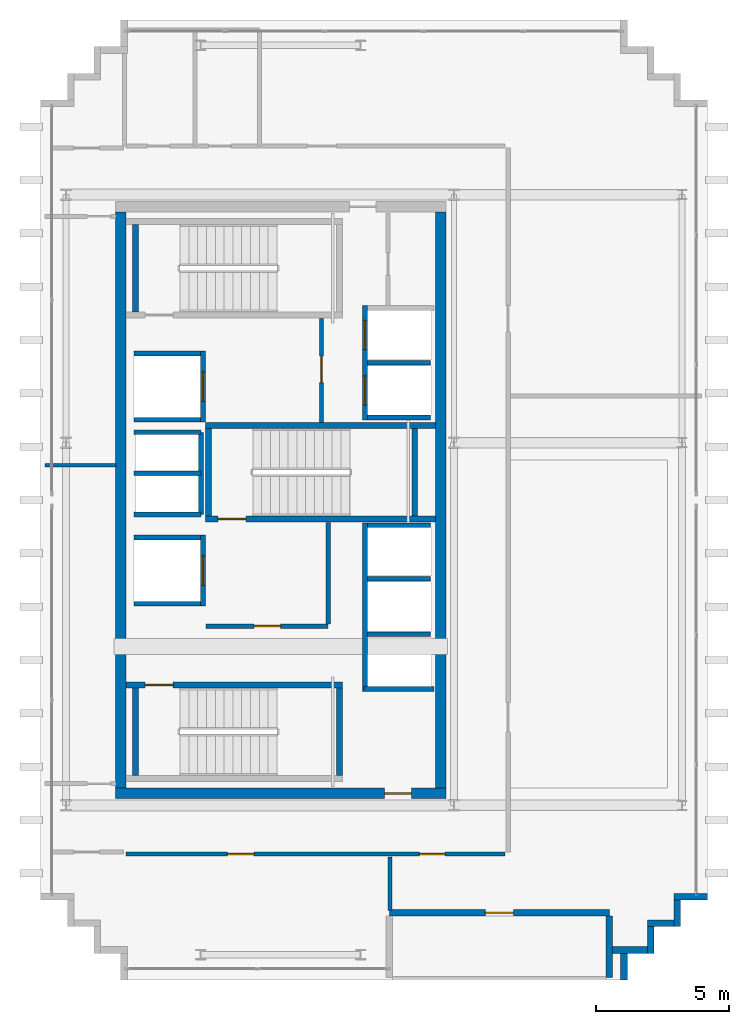
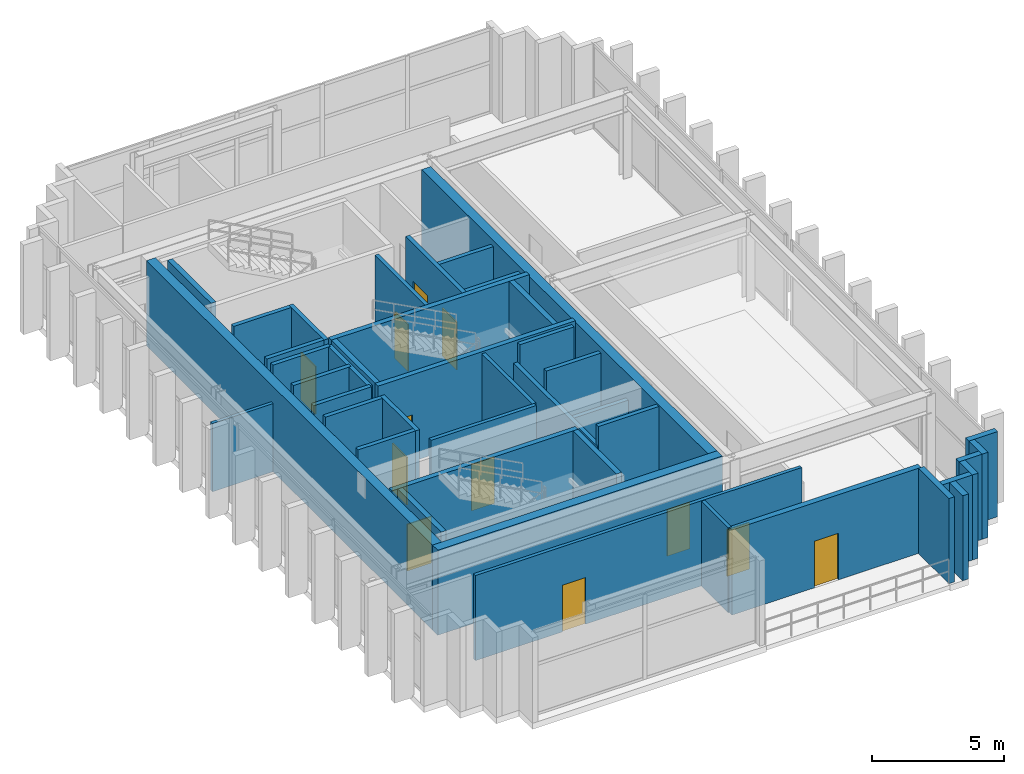
# One storey, part 11 of 14: 43 walls, 12 doors, 12 openings.
"""IFC4 building model written with IfcOpenShell, lengths in metres."""

import ifcopenshell
import ifcopenshell.guid

model = None  # the IFC model being written
_history = None  # IfcOwnerHistory: only IFC2X3 demands one
_inside = {}  # id of a spatial element -> (the spatial element, [elements in it])
_under = {}  # id of a project, library or spatial element -> (it, [spatial elements below it])
_declared = {}  # id of a project -> (the project, [libraries it declares])
_typed = {}  # id of a type object -> (the type object, [elements of that type])
_made_of = {}  # id of a material, layer set ... -> (it, [elements and type objects made of it])


def new_model(schema):
    """Start an empty IFC model of exactly this schema.

    Asked for "IFC4X3", IfcOpenShell would pick the latest addendum, in which some entities
    have other attributes; the version numbers below select the first issue.
    IFC2X3 requires an IfcOwnerHistory on every rooted entity: one is made here for all.
    """
    global model, _history
    if schema == "IFC4X3":
        model = ifcopenshell.file(schema_version=(4, 3, 0, 0))
    else:
        model = ifcopenshell.file(schema=schema)
    _inside.clear()
    _under.clear()
    _declared.clear()
    _typed.clear()
    _made_of.clear()
    _history = None
    if model.schema == "IFC2X3":
        org = make("IfcOrganization", Name="unknown")
        user = make(
            "IfcPersonAndOrganization",
            ThePerson=make("IfcPerson", FamilyName="unknown"),
            TheOrganization=org,
        )
        app = make(
            "IfcApplication",
            ApplicationDeveloper=org,
            Version="unknown",
            ApplicationFullName="unknown",
            ApplicationIdentifier="unknown",
        )
        _history = make(
            "IfcOwnerHistory",
            OwningUser=user,
            OwningApplication=app,
            ChangeAction="ADDED",
            CreationDate=0,
        )
    return model


def make(cls, **values):
    """One entity of the class cls with the attributes given. An attribute that is None is left unset."""
    return model.create_entity(
        cls, **{name: value for name, value in values.items() if value is not None}
    )


def rooted(cls, **values):
    """An entity with a GlobalId (a new one), such as an element, a storey or a relation."""
    return make(cls, GlobalId=ifcopenshell.guid.new(), OwnerHistory=_history, **values)


def si_unit(unit_type, name, prefix=None):
    """IfcSIUnit, for example si_unit("LENGTHUNIT", "METRE", prefix="MILLI")."""
    return make("IfcSIUnit", UnitType=unit_type, Prefix=prefix, Name=name)


def assignment(units):
    """IfcUnitAssignment: the units of a project."""
    return None if units is None else make("IfcUnitAssignment", Units=units)


def point(xyz):
    """IfcCartesianPoint."""
    return None if xyz is None else make("IfcCartesianPoint", Coordinates=xyz)


def direction(xyz):
    """IfcDirection."""
    return None if xyz is None else make("IfcDirection", DirectionRatios=xyz)


def frame(location, z_axis=None, x_axis=None):
    """IfcAxis2Placement3D, a coordinate frame: its origin and axes. An axis left out is left unset."""
    return make(
        "IfcAxis2Placement3D",
        Location=point(location),
        Axis=direction(z_axis),
        RefDirection=direction(x_axis),
    )


def frame_2d(location, x_axis=None):
    """IfcAxis2Placement2D, a coordinate frame in the plane: its origin and x axis."""
    return make(
        "IfcAxis2Placement2D", Location=point(location), RefDirection=direction(x_axis)
    )


def origin():
    """The frame at (0, 0, 0) with its axes left unset."""
    return frame((0.0, 0.0, 0.0))


def place(relative_to, where):
    """IfcLocalPlacement: puts the frame where relative to a parent placement (None: the world)."""
    return make(
        "IfcLocalPlacement", PlacementRelTo=relative_to, RelativePlacement=where
    )


def context(
    kind, dimensions, precision=None, world=None, true_north=None, identifier=None
):
    """IfcGeometricRepresentationContext, for example the 3D "Model" context."""
    return make(
        "IfcGeometricRepresentationContext",
        ContextIdentifier=identifier,
        ContextType=kind,
        CoordinateSpaceDimension=dimensions,
        Precision=precision,
        WorldCoordinateSystem=world,
        TrueNorth=true_north,
    )


def subcontext(parent, identifier, kind, view, scale=None):
    """IfcGeometricRepresentationSubContext, for example "Body" below "Model"."""
    return make(
        "IfcGeometricRepresentationSubContext",
        ContextIdentifier=identifier,
        ContextType=kind,
        ParentContext=parent,
        TargetScale=scale,
        TargetView=view,
    )


def project(units=None, contexts=None):
    """IfcProject with its units and contexts."""
    return rooted(
        "IfcProject",
        Name="project",
        RepresentationContexts=contexts,
        UnitsInContext=assignment(units),
    )


def spatial(cls, under=None, at=None, **own):
    """A site, building, storey or space (cls), placed at a placement, below another one or the project."""
    s = rooted(cls, ObjectPlacement=at, **own)
    if under is not None:
        _under.setdefault(under.id(), (under, []))[1].append(s)
    return s


def profile(cls, at=None, kind="AREA", **sizes):
    """A parametric profile (cls). Its sizes go by their IFC names, for example OverallWidth=200.0."""
    return make(cls, ProfileType=kind, Position=at, **sizes)


def rectangle(**sizes):
    """IfcRectangleProfileDef."""
    return profile("IfcRectangleProfileDef", **sizes)


def extrude(swept, where, along, depth):
    """IfcExtrudedAreaSolid: the profile swept, set in the frame where, extruded along a direction by depth."""
    return make(
        "IfcExtrudedAreaSolid",
        SweptArea=swept,
        Position=where,
        ExtrudedDirection=direction(along),
        Depth=depth,
    )


def shape(context_of_items, identifier, shape_type, items):
    """IfcShapeRepresentation: the items that make up one representation, for example the "Body"."""
    return make(
        "IfcShapeRepresentation",
        ContextOfItems=context_of_items,
        RepresentationIdentifier=identifier,
        RepresentationType=shape_type,
        Items=items,
    )


def source(mapping_origin, context_of_items, identifier, shape_type, items):
    """IfcRepresentationMap: a shape defined once, which mapped items show again and again."""
    return make(
        "IfcRepresentationMap",
        MappingOrigin=mapping_origin,
        MappedRepresentation=shape(context_of_items, identifier, shape_type, items),
    )


def transform(
    local_origin,
    x_axis=None,
    y_axis=None,
    z_axis=None,
    scale=None,
    scale2=None,
    scale3=None,
    uniform=True,
):
    """IfcCartesianTransformationOperator3D, or its non-uniform kind. x_axis, y_axis, z_axis: its Axis1, 2, 3."""
    if uniform:
        return make(
            "IfcCartesianTransformationOperator3D",
            Axis1=direction(x_axis),
            Axis2=direction(y_axis),
            LocalOrigin=point(local_origin),
            Scale=scale,
            Axis3=direction(z_axis),
        )
    return make(
        "IfcCartesianTransformationOperator3DnonUniform",
        Axis1=direction(x_axis),
        Axis2=direction(y_axis),
        LocalOrigin=point(local_origin),
        Scale=scale,
        Axis3=direction(z_axis),
        Scale2=scale2,
        Scale3=scale3,
    )


def mapped(mapping_source, mapping_target):
    """IfcMappedItem: shows the shape of a source again, moved by a transform."""
    return make(
        "IfcMappedItem", MappingSource=mapping_source, MappingTarget=mapping_target
    )


def material(Name=None, Category=None):
    """IfcMaterial."""
    return make("IfcMaterial", Name=Name, Category=Category)


def layer(
    of_material, thickness, ventilated=None, Name=None, Category=None, Priority=None
):
    """IfcMaterialLayer: one layer of a wall or slab, of a material (None: an air gap)."""
    return make(
        "IfcMaterialLayer",
        Material=of_material,
        LayerThickness=thickness,
        IsVentilated=ventilated,
        Name=Name,
        Category=Category,
        Priority=Priority,
    )


def layer_set(layers, Name=None):
    """IfcMaterialLayerSet."""
    return make("IfcMaterialLayerSet", MaterialLayers=layers, LayerSetName=Name)


def made_of(thing, what):
    """Note that an element or type object is made of a material, layer set ...; save() writes the relation."""
    if what is not None:
        _made_of.setdefault(what.id(), (what, []))[1].append(thing)
    return thing


def type_object(cls, material=None, **own):
    """A type object (cls), such as IfcWallType, which elements share."""
    return made_of(rooted(cls, **own), material)


def element(
    cls,
    number,
    at=None,
    inside=None,
    cuts=None,
    type_object=None,
    material=None,
    context=None,
    identifier="Body",
    shape_type=None,
    held_by="IfcProductDefinitionShape",
    body=None,
    shapes=None,
    **own,
):
    """One element of the class cls, such as IfcWall. Its Tag is "e" and its number.

    at: its placement. inside: the storey or other place that contains it. cuts: it is an
    opening in that element (IfcRelVoidsElement). A single representation is given by context,
    identifier, shape_type and body (its items); several are given by shapes. held_by: the class
    of the entity that holds the representations. save() writes the other relations.
    """
    e = rooted(cls, Tag="e%d" % number, ObjectPlacement=at, **own)
    if body is not None:
        shapes = [shape(context, identifier, shape_type, body)]
    if shapes is not None:
        e.Representation = make(held_by, Representations=shapes)
    if inside is not None:
        _inside.setdefault(inside.id(), (inside, []))[1].append(e)
    if cuts is not None:
        rooted(
            "IfcRelVoidsElement", RelatingBuildingElement=cuts, RelatedOpeningElement=e
        )
    if type_object is not None:
        _typed.setdefault(type_object.id(), (type_object, []))[1].append(e)
    return made_of(e, material)


def fill(opening, filler):
    """IfcRelFillsElement: the door or window that sits in an opening."""
    return rooted(
        "IfcRelFillsElement",
        RelatingOpeningElement=opening,
        RelatedBuildingElement=filler,
    )


def aggregate(whole, parts):
    """IfcRelAggregates: a whole, such as a stair, and the parts it consists of."""
    return rooted("IfcRelAggregates", RelatingObject=whole, RelatedObjects=parts)


def save(model, path):
    """Write the relations noted so far, then the file.

    IfcRelAggregates (storeys below a building ...), IfcRelContainedInSpatialStructure (elements
    in a storey), IfcRelDefinesByType, IfcRelAssociatesMaterial and IfcRelDeclares: one each for
    every whole, place, type object, material and project.
    """
    for whole, parts in _under.values():
        aggregate(whole, parts)
    for where, things in _inside.values():
        rooted(
            "IfcRelContainedInSpatialStructure",
            RelatedElements=things,
            RelatingStructure=where,
        )
    for kind, things in _typed.values():
        rooted("IfcRelDefinesByType", RelatedObjects=things, RelatingType=kind)
    for what, things in _made_of.values():
        rooted("IfcRelAssociatesMaterial", RelatedObjects=things, RelatingMaterial=what)
    for by, libraries in _declared.values():
        rooted("IfcRelDeclares", RelatingContext=by, RelatedDefinitions=libraries)
    model.write(path)


model = new_model("IFC4")

# Units and contexts
model_context = context("Model", 3, precision=1e-05, world=origin(), true_north=direction((0.0, 1.0)))
body_context = subcontext(model_context, "Body", "Model", "MODEL_VIEW")
ifc_project = project(units=[si_unit("LENGTHUNIT", "METRE"), si_unit("AREAUNIT", "SQUARE_METRE"), si_unit("VOLUMEUNIT", "CUBIC_METRE"), si_unit("PLANEANGLEUNIT", "RADIAN"), si_unit("MASSUNIT", "GRAM", prefix="KILO")], contexts=[model_context])

# Site, building, storey
site_placement = place(None, origin())
site = spatial("IfcSite", under=ifc_project, at=site_placement, CompositionType="ELEMENT")
building_placement = place(site_placement, origin())
building = spatial("IfcBuilding", under=site, at=building_placement, Name="Ocotamira Hotel", CompositionType="ELEMENT")
storey_placement = place(building_placement, frame((0.0, 0.0, 301.199951171875)))
storey = spatial("IfcBuildingStorey", under=building, at=storey_placement, Name="L77", CompositionType="ELEMENT", Elevation=301.199951171875)

# Wall, opening, door
ifc_material_1 = material(Name="Concrete C50/60", Category="concrete")
ifc_layer_1 = layer(ifc_material_1, 0.39990234375)
ifc_layer_set_1 = layer_set([ifc_layer_1], Name="Concrete C50/60")
wall_type_1 = type_object("IfcWallType", Name="WL-CORE-400", PredefinedType="SHEAR", material=ifc_layer_set_1)
wall_1_placement = place(storey_placement, frame((10.800048828125, 15.0, 0.0), z_axis=(0.0, 0.0, 1.0), x_axis=(1.0, 0.0, 0.0)))
wall_1 = element("IfcWall", 1, at=wall_1_placement, inside=storey, type_object=wall_type_1, Name="L77 Shear Core Wall WCORE-S", PredefinedType="SHEAR", context=body_context, shape_type="SweptSolid", body=[
    extrude(rectangle(XDim=12.39990234375, YDim=0.39990234375, at=frame_2d((6.199951171875, 0.0))), origin(), (0.0, 0.0, 1.0), 3.920166015625),
])
opening_1_placement = place(wall_1_placement, frame((10.10009765625, 0.0, 0.0)))
opening_1 = element("IfcOpeningElement", 2, at=opening_1_placement, cuts=wall_1, Name="Opening D-FR2", PredefinedType="OPENING", context=body_context, shape_type="SweptSolid", body=[
    extrude(rectangle(XDim=1.0, YDim=2.14990234375, at=frame_2d((0.5, 1.074951171875))), frame((0.0, 0.2099609375, 0.0), z_axis=(0.0, -1.0, 0.0), x_axis=(1.0, 0.0, 0.0)), (0.0, 0.0, 1.0), 0.419921875),
])
ifc_material_2 = material(Name="Fire-rated acoustic timber-veneer door", Category="wood")
door_type_1 = type_object("IfcDoorType", Name="DR-FIRE-1000", OperationType="NOTDEFINED", PredefinedType="DOOR", material=ifc_material_2)
shared_shape_1 = source(origin(), body_context, "Body", "SweptSolid", [
    extrude(rectangle(XDim=1.0, YDim=2.14990234375, at=frame_2d((0.5, 1.074951171875))), frame((0.0, 0.02490234375, 0.0), z_axis=(0.0, -1.0, 0.0), x_axis=(1.0, 0.0, 0.0)), (0.0, 0.0, 1.0), 0.050048828125),
])
door_1_placement = place(opening_1_placement, origin())
door_1 = element("IfcDoor", 3, at=door_1_placement, inside=storey, type_object=door_type_1, Name="L77 Door ID-L77-WLOB-S-D [ID-L77-WLOB-S-D]", OperationType="SINGLE_SWING_LEFT", OverallHeight=2.14990234375, OverallWidth=1.0, PredefinedType="DOOR", context=body_context, shape_type="MappedRepresentation", body=[
    mapped(shared_shape_1, transform((0.0, 0.0, 0.0), scale=1.0)),
])
fill(opening_1, door_1)

# Walls
for number, where, z_axis, x_axis, name in (
    (4, (11.0, 15.199951171875, 0.0), (0.0, 0.0, 1.0), (0.0, 1.0, 0.0), "L77 Shear Core Wall WCORE-W"),
    (5, (23.0, 15.199951171875, 0.0), (0.0, 0.0, 1.0), (0.0, 1.0, 0.0), "L77 Shear Core Wall WCORE-E"),
):
    element("IfcWall", number, at=place(storey_placement, frame(where, z_axis=z_axis, x_axis=x_axis)), inside=storey, type_object=wall_type_1, Name=name, PredefinedType="SHEAR", context=body_context, shape_type="SweptSolid", body=[
        extrude(rectangle(XDim=21.60009765625, YDim=0.39990234375, at=frame_2d((10.800048828125, 0.0))), origin(), (0.0, 0.0, 1.0), 3.920166015625),
    ])
ifc_material_3 = material(Name="Precast concrete C45/55", Category="concrete")
ifc_layer_2 = layer(ifc_material_3, 0.25)
ifc_layer_set_2 = layer_set([ifc_layer_2], Name="Precast concrete C45/55")
wall_type_2 = type_object("IfcWallType", Name="WL-EXT-SER-250", PredefinedType="SOLIDWALL", material=ifc_layer_set_2)
wall_2_placement = place(storey_placement, frame((29.875, 8.0, 0.0), z_axis=(0.0, 0.0, 1.0), x_axis=(0.0, 1.0, 0.0)))
element("IfcWall", 6, at=wall_2_placement, inside=storey, type_object=wall_type_2, Name="L77 Serrated Corner Wall 01", PredefinedType="SOLIDWALL", context=body_context, shape_type="SweptSolid", body=[
    extrude(rectangle(XDim=1.0, YDim=0.25, at=frame_2d((0.5, 0.0))), origin(), (0.0, 0.0, 1.0), 3.920166015625),
])
wall_3_placement = place(storey_placement, frame((29.449951171875, 9.125, 0.0), z_axis=(0.0, 0.0, 1.0), x_axis=(1.0, 0.0, 0.0)))
element("IfcWall", 7, at=wall_3_placement, inside=storey, type_object=wall_type_2, Name="L77 Serrated Corner Wall 02", PredefinedType="SOLIDWALL", context=body_context, shape_type="SweptSolid", body=[
    extrude(rectangle(XDim=1.300048828125, YDim=0.25, at=frame_2d((0.64990234375, 0.0))), origin(), (0.0, 0.0, 1.0), 3.920166015625),
])
for number, where, z_axis, x_axis, name in (
    (8, (30.875, 9.0, 0.0), (0.0, 0.0, 1.0), (0.0, 1.0, 0.0), "L77 Serrated Corner Wall 03"),
    (9, (30.75, 10.125, 0.0), (0.0, 0.0, 1.0), (1.0, 0.0, 0.0), "L77 Serrated Corner Wall 04"),
    (10, (31.875, 10.0, 0.0), (0.0, 0.0, 1.0), (0.0, 1.0, 0.0), "L77 Serrated Corner Wall 05"),
):
    element("IfcWall", number, at=place(storey_placement, frame(where, z_axis=z_axis, x_axis=x_axis)), inside=storey, type_object=wall_type_2, Name=name, PredefinedType="SOLIDWALL", context=body_context, shape_type="SweptSolid", body=[
        extrude(rectangle(XDim=1.0, YDim=0.25, at=frame_2d((0.5, 0.0))), origin(), (0.0, 0.0, 1.0), 3.920166015625),
    ])
wall_4_placement = place(storey_placement, frame((31.75, 11.125, 0.0), z_axis=(0.0, 0.0, 1.0), x_axis=(1.0, 0.0, 0.0)))
element("IfcWall", 11, at=wall_4_placement, inside=storey, type_object=wall_type_2, Name="L77 Serrated Corner Wall 06", PredefinedType="SOLIDWALL", context=body_context, shape_type="SweptSolid", body=[
    extrude(rectangle(XDim=1.25, YDim=0.25, at=frame_2d((0.625, 0.0))), origin(), (0.0, 0.0, 1.0), 3.920166015625),
])

# Wall, opening, door
wall_5_placement = place(storey_placement, frame((21.074951171875, 10.52490234375, 0.0), z_axis=(0.0, 0.0, 1.0), x_axis=(1.0, 0.0, 0.0)))
wall_5 = element("IfcWall", 12, at=wall_5_placement, inside=storey, type_object=wall_type_2, Name="L77 Sky Terrace Back Wall 1", PredefinedType="SOLIDWALL", context=body_context, shape_type="SweptSolid", body=[
    extrude(rectangle(XDim=8.25, YDim=0.25, at=frame_2d((4.125, 0.0))), origin(), (0.0, 0.0, 1.0), 3.920166015625),
])
opening_2_placement = place(wall_5_placement, frame((3.60009765625, 0.0, 0.0)))
opening_2 = element("IfcOpeningElement", 13, at=opening_2_placement, cuts=wall_5, Name="Opening ED-3", PredefinedType="OPENING", context=body_context, shape_type="SweptSolid", body=[
    extrude(rectangle(XDim=1.050048828125, YDim=2.14990234375, at=frame_2d((0.52490234375, 1.074951171875))), frame((0.0, 0.135009765625, 0.0), z_axis=(0.0, -1.0, 0.0), x_axis=(1.0, 0.0, 0.0)), (0.0, 0.0, 1.0), 0.27001953125),
])
ifc_material_4 = material(Name="Thermally broken aluminium glazed door", Category="aluminium")
door_type_2 = type_object("IfcDoorType", Name="DR-TERR-1050", OperationType="NOTDEFINED", PredefinedType="DOOR", material=ifc_material_4)
shared_shape_2 = source(origin(), body_context, "Body", "SweptSolid", [
    extrude(rectangle(XDim=1.050048828125, YDim=2.14990234375, at=frame_2d((0.52490234375, 1.074951171875))), frame((0.0, 0.02490234375, 0.0), z_axis=(0.0, -1.0, 0.0), x_axis=(1.0, 0.0, 0.0)), (0.0, 0.0, 1.0), 0.050048828125),
])
door_2_placement = place(opening_2_placement, origin())
door_2 = element("IfcDoor", 14, at=door_2_placement, inside=storey, type_object=door_type_2, Name="L77 Sky Terrace Access Door 1 [ED-BAL-L77-1]", OperationType="SINGLE_SWING_LEFT", OverallHeight=2.14990234375, OverallWidth=1.050048828125, PredefinedType="DOOR", context=body_context, shape_type="MappedRepresentation", body=[
    mapped(shared_shape_2, transform((0.0, 0.0, 0.0), scale=1.0)),
])
fill(opening_2, door_2)

# Wall
wall_6_placement = place(storey_placement, frame((29.324951171875, 8.10009765625, 0.0), z_axis=(0.0, 0.0, 1.0), x_axis=(0.0, 1.0, 0.0)))
element("IfcWall", 15, at=wall_6_placement, inside=storey, type_object=wall_type_2, Name="L77 Sky Terrace Return Wall 1R", PredefinedType="SOLIDWALL", context=body_context, shape_type="SweptSolid", body=[
    extrude(rectangle(XDim=2.2998046875, YDim=0.25, at=frame_2d((1.14990234375, 0.0))), origin(), (0.0, 0.0, 1.0), 3.920166015625),
])

# Wall, opening, door
ifc_material_5 = material(Name="Acoustic double-layer fire gypsum board partition", Category="gypsum")
ifc_layer_3 = layer(ifc_material_5, 0.159912109375)
ifc_layer_set_3 = layer_set([ifc_layer_3], Name="Acoustic double-layer fire gypsum board partition")
wall_type_3 = type_object("IfcWallType", Name="WL-FIRE-160", PredefinedType="PARTITIONING", material=ifc_layer_set_3)
wall_7_placement = place(storey_placement, frame((14.199951171875, 21.27001953125, 0.0), z_axis=(0.0, 0.0, 1.0), x_axis=(1.0, 0.0, 0.0)))
wall_7 = element("IfcWall", 16, at=wall_7_placement, inside=storey, type_object=wall_type_3, Name="L77 Interior Wall PW-L77-FSAE1-S", PredefinedType="PARTITIONING", context=body_context, shape_type="SweptSolid", body=[
    extrude(rectangle(XDim=4.580078125, YDim=0.159912109375, at=frame_2d((2.2900390625, 0.0))), origin(), (0.0, 0.0, 1.0), 3.920166015625),
])
opening_3_placement = place(wall_7_placement, frame((1.800048828125, 0.0, 0.0)))
opening_3 = element("IfcOpeningElement", 17, at=opening_3_placement, cuts=wall_7, Name="Opening D-FR2", PredefinedType="OPENING", context=body_context, shape_type="SweptSolid", body=[
    extrude(rectangle(XDim=1.0, YDim=2.14990234375, at=frame_2d((0.5, 1.074951171875))), frame((0.0, 0.08984375, 0.0), z_axis=(0.0, -1.0, 0.0), x_axis=(1.0, 0.0, 0.0)), (0.0, 0.0, 1.0), 0.179931640625),
])
door_3_placement = place(opening_3_placement, origin())
door_3 = element("IfcDoor", 18, at=door_3_placement, inside=storey, type_object=door_type_1, Name="L77 Door ID-L77-FSAE1-D [ID-L77-FSAE1-D]", OperationType="SINGLE_SWING_LEFT", OverallHeight=2.14990234375, OverallWidth=1.0, PredefinedType="DOOR", context=body_context, shape_type="MappedRepresentation", body=[
    mapped(shared_shape_1, transform((0.0, 0.0, 0.0), scale=1.0)),
])
fill(opening_3, door_3)

# Wall
wall_8_placement = place(storey_placement, frame((18.780029296875, 21.35009765625, 0.0), z_axis=(0.0, 0.0, 1.0), x_axis=(0.0, 1.0, 0.0)))
element("IfcWall", 19, at=wall_8_placement, inside=storey, type_object=wall_type_3, Name="L77 Interior Wall PW-L77-FSAE1-E", PredefinedType="PARTITIONING", context=body_context, shape_type="SweptSolid", body=[
    extrude(rectangle(XDim=3.809814453125, YDim=0.159912109375, at=frame_2d((1.90478515625, 0.0))), origin(), (0.0, 0.0, 1.0), 3.920166015625),
])

# Wall, opening, door
wall_9_placement = place(storey_placement, frame((18.530029296875, 28.89990234375, 0.0), z_axis=(0.0, 0.0, 1.0), x_axis=(0.0, 1.0, 0.0)))
wall_9 = element("IfcWall", 20, at=wall_9_placement, inside=storey, type_object=wall_type_3, Name="L77 Interior Wall PW-L77-FSAE2-E", PredefinedType="PARTITIONING", context=body_context, shape_type="SweptSolid", body=[
    extrude(rectangle(XDim=3.900146484375, YDim=0.159912109375, at=frame_2d((1.9501953125, 0.0))), origin(), (0.0, 0.0, 1.0), 3.920166015625),
])
opening_4_placement = place(wall_9_placement, frame((1.5, 0.0, 0.0)))
opening_4 = element("IfcOpeningElement", 21, at=opening_4_placement, cuts=wall_9, Name="Opening D-FR2", PredefinedType="OPENING", context=body_context, shape_type="SweptSolid", body=[
    extrude(rectangle(XDim=1.0, YDim=2.14990234375, at=frame_2d((0.5, 1.074951171875))), frame((0.0, 0.08984375, 0.0), z_axis=(0.0, -1.0, 0.0), x_axis=(1.0, 0.0, 0.0)), (0.0, 0.0, 1.0), 0.179931640625),
])
door_4_placement = place(opening_4_placement, origin())
door_4 = element("IfcDoor", 22, at=door_4_placement, inside=storey, type_object=door_type_1, Name="L77 Door ID-L77-FSAE2-D [ID-L77-FSAE2-D]", OperationType="SINGLE_SWING_RIGHT", OverallHeight=2.14990234375, OverallWidth=1.0, PredefinedType="DOOR", context=body_context, shape_type="MappedRepresentation", body=[
    mapped(shared_shape_1, transform((0.0, 0.0, 0.0), scale=1.0)),
])
fill(opening_4, door_4)

# Walls
ifc_material_6 = material(Name="Acoustic hospitality gypsum board partition", Category="gypsum")
ifc_layer_4 = layer(ifc_material_6, 0.14208984375)
ifc_layer_set_4 = layer_set([ifc_layer_4], Name="Acoustic hospitality gypsum board partition")
wall_type_4 = type_object("IfcWallType", Name="WL-PART-142", PredefinedType="PARTITIONING", material=ifc_layer_set_4)
wall_10_placement = place(storey_placement, frame((21.10009765625, 10.60009765625, 0.0), z_axis=(0.0, 0.0, 1.0), x_axis=(0.0, 1.0, 0.0)))
element("IfcWall", 23, at=wall_10_placement, inside=storey, type_object=wall_type_4, Name="L77 Interior Wall PW-L77-L77-SDIV1", PredefinedType="PARTITIONING", context=body_context, shape_type="SweptSolid", body=[
    extrude(rectangle(XDim=2.02001953125, YDim=0.14208984375, at=frame_2d((1.010009765625, 0.0))), origin(), (0.0, 0.0, 1.0), 3.920166015625),
])
wall_11_placement = place(storey_placement, frame((8.159912109375, 27.300048828125, 0.0), z_axis=(0.0, 0.0, 1.0), x_axis=(1.0, 0.0, 0.0)))
element("IfcWall", 24, at=wall_11_placement, inside=storey, type_object=wall_type_4, Name="L77 Interior Wall PW-L77-L77W-DV1", PredefinedType="PARTITIONING", context=body_context, shape_type="SweptSolid", body=[
    extrude(rectangle(XDim=2.66015625, YDim=0.14208984375, at=frame_2d((1.330078125, 0.0))), origin(), (0.0, 0.0, 1.0), 3.14111328125),
])

# Wall, openings, doors
ifc_layer_5 = layer(ifc_material_6, 0.14990234375)
ifc_layer_set_5 = layer_set([ifc_layer_5], Name="Acoustic hospitality gypsum board partition")
wall_type_5 = type_object("IfcWallType", Name="WL-PART-150", PredefinedType="PARTITIONING", material=ifc_layer_set_5)
wall_12_placement = place(storey_placement, frame((11.199951171875, 12.719970703125, 0.0), z_axis=(0.0, 0.0, 1.0), x_axis=(1.0, 0.0, 0.0)))
wall_12 = element("IfcWall", 25, at=wall_12_placement, inside=storey, type_object=wall_type_5, Name="L77 Interior Wall PW-L77-L77-SW", PredefinedType="PARTITIONING", context=body_context, shape_type="SweptSolid", body=[
    extrude(rectangle(XDim=14.219970703125, YDim=0.14990234375, at=frame_2d((7.10986328125, 0.0))), origin(), (0.0, 0.0, 1.0), 3.920166015625),
])
opening_5_placement = place(wall_12_placement, frame((3.800048828125, 0.0, 0.0)))
opening_5 = element("IfcOpeningElement", 26, at=opening_5_placement, cuts=wall_12, Name="Opening D-FR2", PredefinedType="OPENING", context=body_context, shape_type="SweptSolid", body=[
    extrude(rectangle(XDim=1.0, YDim=2.14990234375, at=frame_2d((0.5, 1.074951171875))), frame((0.0, 0.0849609375, 0.0), z_axis=(0.0, -1.0, 0.0), x_axis=(1.0, 0.0, 0.0)), (0.0, 0.0, 1.0), 0.169921875),
])
opening_6_placement = place(wall_12_placement, frame((11.0, 0.0, 0.0)))
opening_6 = element("IfcOpeningElement", 27, at=opening_6_placement, cuts=wall_12, Name="Opening D-SV4", PredefinedType="OPENING", context=body_context, shape_type="SweptSolid", body=[
    extrude(rectangle(XDim=0.9599609375, YDim=2.14990234375, at=frame_2d((0.47998046875, 1.074951171875))), frame((0.0, 0.0849609375, 0.0), z_axis=(0.0, -1.0, 0.0), x_axis=(1.0, 0.0, 0.0)), (0.0, 0.0, 1.0), 0.169921875),
])
door_5_placement = place(opening_5_placement, origin())
door_5 = element("IfcDoor", 28, at=door_5_placement, inside=storey, type_object=door_type_1, Name="L77 Door ID-L77-L77-SD1 [ID-L77-L77-SD1]", OperationType="SINGLE_SWING_LEFT", OverallHeight=2.14990234375, OverallWidth=1.0, PredefinedType="DOOR", context=body_context, shape_type="MappedRepresentation", body=[
    mapped(shared_shape_1, transform((0.0, 0.0, 0.0), scale=1.0)),
])
fill(opening_5, door_5)
ifc_material_7 = material(Name="Fire-rated accessible walnut salon door", Category="wood")
door_type_3 = type_object("IfcDoorType", Name="DR-SERV-960", OperationType="NOTDEFINED", PredefinedType="DOOR", material=ifc_material_7)
shared_shape_3 = source(origin(), body_context, "Body", "SweptSolid", [
    extrude(rectangle(XDim=0.9599609375, YDim=2.14990234375, at=frame_2d((0.47998046875, 1.074951171875))), frame((0.0, 0.02490234375, 0.0), z_axis=(0.0, -1.0, 0.0), x_axis=(1.0, 0.0, 0.0)), (0.0, 0.0, 1.0), 0.050048828125),
])
door_6_placement = place(opening_6_placement, origin())
door_6 = element("IfcDoor", 29, at=door_6_placement, inside=storey, type_object=door_type_3, Name="L77 Door ID-L77-L77-SD2 [ID-L77-L77-SD2]", OperationType="SINGLE_SWING_RIGHT", OverallHeight=2.14990234375, OverallWidth=0.9599609375, PredefinedType="DOOR", context=body_context, shape_type="MappedRepresentation", body=[
    mapped(shared_shape_3, transform((0.0, 0.0, 0.0), scale=1.0)),
])
fill(opening_6, door_6)

# Walls
ifc_material_8 = material(Name="Fire-rated gypsum shaftliner board assembly", Category="gypsum")
ifc_layer_6 = layer(ifc_material_8, 0.179931640625)
ifc_layer_set_6 = layer_set([ifc_layer_6], Name="Fire-rated gypsum shaftliner board assembly")
wall_type_6 = type_object("IfcWallType", Name="WL-SHAFT-180", PredefinedType="SOLIDWALL", material=ifc_layer_set_6)
wall_13_placement = place(storey_placement, frame((20.159912109375, 18.820068359375, 0.0), z_axis=(0.0, 0.0, 1.0), x_axis=(0.0, 1.0, 0.0)))
element("IfcWall", 30, at=wall_13_placement, inside=storey, type_object=wall_type_6, Name="L77 Interior Wall PW-L77-LFW-BANK-high-F", PredefinedType="SOLIDWALL", context=body_context, shape_type="SweptSolid", body=[
    extrude(rectangle(XDim=6.31982421875, YDim=0.179931640625, at=frame_2d((3.159912109375, 0.0))), origin(), (0.0, 0.0, 1.0), 3.02001953125),
])
wall_14_placement = place(storey_placement, frame((20.1201171875, 18.909912109375, 0.0), z_axis=(0.0, 0.0, 1.0), x_axis=(1.0, 0.0, 0.0)))
element("IfcWall", 31, at=wall_14_placement, inside=storey, type_object=wall_type_6, Name="L77 Interior Wall PW-L77-LFW-BANK-high-S", PredefinedType="SOLIDWALL", context=body_context, shape_type="SweptSolid", body=[
    extrude(rectangle(XDim=2.6298828125, YDim=0.179931640625, at=frame_2d((1.31494140625, 0.0))), origin(), (0.0, 0.0, 1.0), 3.920166015625),
])
wall_15_placement = place(storey_placement, frame((20.25, 25.050048828125, 0.0), z_axis=(0.0, 0.0, 1.0), x_axis=(1.0, 0.0, 0.0)))
element("IfcWall", 32, at=wall_15_placement, inside=storey, type_object=wall_type_6, Name="L77 Interior Wall PW-L77-LFW-BANK-high-N", PredefinedType="SOLIDWALL", context=body_context, shape_type="SweptSolid", body=[
    extrude(rectangle(XDim=2.360107421875, YDim=0.179931640625, at=frame_2d((1.18017578125, 0.0))), origin(), (0.0, 0.0, 1.0), 3.920166015625),
])
wall_16_placement = place(storey_placement, frame((20.25, 20.965087890625, 0.0), z_axis=(0.0, 0.0, 1.0), x_axis=(1.0, 0.0, 0.0)))
element("IfcWall", 33, at=wall_16_placement, inside=storey, type_object=wall_type_6, Name="L77 Interior Wall PW-L77-LFW-DIV-LF-P7", PredefinedType="SOLIDWALL", context=body_context, shape_type="SweptSolid", body=[
    extrude(rectangle(XDim=2.360107421875, YDim=0.179931640625, at=frame_2d((1.18017578125, 0.0))), origin(), (0.0, 0.0, 1.0), 3.02001953125),
])
wall_17_placement = place(storey_placement, frame((20.25, 23.044921875, 0.0), z_axis=(0.0, 0.0, 1.0), x_axis=(1.0, 0.0, 0.0)))
element("IfcWall", 34, at=wall_17_placement, inside=storey, type_object=wall_type_6, Name="L77 Interior Wall PW-L77-LFW-DIV-LF-P8", PredefinedType="SOLIDWALL", context=body_context, shape_type="SweptSolid", body=[
    extrude(rectangle(XDim=2.360107421875, YDim=0.179931640625, at=frame_2d((1.18017578125, 0.0))), origin(), (0.0, 0.0, 1.0), 3.920166015625),
])

# Wall, openings, doors
wall_18_placement = place(storey_placement, frame((20.159912109375, 29.0, 0.0), z_axis=(0.0, 0.0, 1.0), x_axis=(0.0, 1.0, 0.0)))
wall_18 = element("IfcWall", 35, at=wall_18_placement, inside=storey, type_object=wall_type_6, Name="L77 Interior Wall PW-L77-LFW-BANK-obs-F", PredefinedType="SOLIDWALL", context=body_context, shape_type="SweptSolid", body=[
    extrude(rectangle(XDim=4.2900390625, YDim=0.179931640625, at=frame_2d((2.14501953125, 0.0))), origin(), (0.0, 0.0, 1.0), 3.920166015625),
])
opening_7_placement = place(wall_18_placement, frame((0.554931640625, 0.0, 0.0)))
opening_7 = element("IfcOpeningElement", 36, at=opening_7_placement, cuts=wall_18, Name="Opening LD-LF-OBS1", PredefinedType="OPENING", context=body_context, shape_type="SweptSolid", body=[
    extrude(rectangle(XDim=1.10009765625, YDim=2.199951171875, at=frame_2d((0.550048828125, 1.10009765625))), frame((0.0, 0.10009765625, 0.0), z_axis=(0.0, -1.0, 0.0), x_axis=(1.0, 0.0, 0.0)), (0.0, 0.0, 1.0), 0.199951171875),
])
opening_8_placement = place(wall_18_placement, frame((2.635009765625, 0.0, 0.0)))
opening_8 = element("IfcOpeningElement", 37, at=opening_8_placement, cuts=wall_18, Name="Opening LD-LF-OBS2", PredefinedType="OPENING", context=body_context, shape_type="SweptSolid", body=[
    extrude(rectangle(XDim=1.10009765625, YDim=2.199951171875, at=frame_2d((0.550048828125, 1.10009765625))), frame((0.0, 0.10009765625, 0.0), z_axis=(0.0, -1.0, 0.0), x_axis=(1.0, 0.0, 0.0)), (0.0, 0.0, 1.0), 0.199951171875),
])
ifc_material_9 = material(Name="Brushed pale-metal stainless elevator landing door", Category="steel")
door_type_4 = type_object("IfcDoorType", Name="DR-LIFT-1100", OperationType="NOTDEFINED", PredefinedType="DOOR", material=ifc_material_9)
shared_shape_4 = source(origin(), body_context, "Body", "SweptSolid", [
    extrude(rectangle(XDim=1.10009765625, YDim=2.199951171875, at=frame_2d((0.550048828125, 1.10009765625))), frame((0.0, 0.02490234375, 0.0), z_axis=(0.0, -1.0, 0.0), x_axis=(1.0, 0.0, 0.0)), (0.0, 0.0, 1.0), 0.050048828125),
])
door_7_placement = place(opening_7_placement, origin())
door_7 = element("IfcDoor", 38, at=door_7_placement, inside=storey, type_object=door_type_4, Name="L77 Landing Door LD-LF-OBS1 [ID-L77-LD-LF-OBS1]", OperationType="DOUBLE_DOOR_SLIDING", OverallHeight=2.199951171875, OverallWidth=1.10009765625, PredefinedType="DOOR", context=body_context, shape_type="MappedRepresentation", body=[
    mapped(shared_shape_4, transform((0.0, 0.0, 0.0), scale=1.0)),
])
fill(opening_7, door_7)
door_8_placement = place(opening_8_placement, origin())
door_8 = element("IfcDoor", 39, at=door_8_placement, inside=storey, type_object=door_type_4, Name="L77 Landing Door LD-LF-OBS2 [ID-L77-LD-LF-OBS2]", OperationType="DOUBLE_DOOR_SLIDING", OverallHeight=2.199951171875, OverallWidth=1.10009765625, PredefinedType="DOOR", context=body_context, shape_type="MappedRepresentation", body=[
    mapped(shared_shape_4, transform((0.0, 0.0, 0.0), scale=1.0)),
])
fill(opening_8, door_8)

# Walls
for number, where, z_axis, x_axis, name in (
    (40, (20.25, 29.090087890625, 0.0), (0.0, 0.0, 1.0), (1.0, 0.0, 0.0), "L77 Interior Wall PW-L77-LFW-BANK-obs-S"),
    (41, (20.25, 31.14501953125, 0.0), (0.0, 0.0, 1.0), (1.0, 0.0, 0.0), "L77 Interior Wall PW-L77-LFW-DIV-LF-OBS1"),
):
    element("IfcWall", number, at=place(storey_placement, frame(where, z_axis=z_axis, x_axis=x_axis)), inside=storey, type_object=wall_type_6, Name=name, PredefinedType="SOLIDWALL", context=body_context, shape_type="SweptSolid", body=[
        extrude(rectangle(XDim=2.360107421875, YDim=0.179931640625, at=frame_2d((1.18017578125, 0.0))), origin(), (0.0, 0.0, 1.0), 3.920166015625),
    ])
for number, where, z_axis, x_axis, name in (
    (42, (11.5, 22.110107421875, 0.0), (0.0, 0.0, 1.0), (1.0, 0.0, 0.0), "L77 Interior Wall PW-L77-LFW-LF-FSAE1-S"),
    (43, (11.5, 24.590087890625, 0.0), (0.0, 0.0, 1.0), (1.0, 0.0, 0.0), "L77 Interior Wall PW-L77-LFW-LF-FSAE1-N"),
):
    element("IfcWall", number, at=place(storey_placement, frame(where, z_axis=z_axis, x_axis=x_axis)), inside=storey, type_object=wall_type_6, Name=name, PredefinedType="SOLIDWALL", context=body_context, shape_type="SweptSolid", body=[
        extrude(rectangle(XDim=2.5, YDim=0.179931640625, at=frame_2d((1.25, 0.0))), origin(), (0.0, 0.0, 1.0), 3.920166015625),
    ])

# Wall, opening, door
wall_19_placement = place(storey_placement, frame((14.090087890625, 22.02001953125, 0.0), z_axis=(0.0, 0.0, 1.0), x_axis=(0.0, 1.0, 0.0)))
wall_19 = element("IfcWall", 44, at=wall_19_placement, inside=storey, type_object=wall_type_6, Name="L77 Interior Wall PW-L77-LFW-LF-FSAE1-E", PredefinedType="SOLIDWALL", context=body_context, shape_type="SweptSolid", body=[
    extrude(rectangle(XDim=2.659912109375, YDim=0.179931640625, at=frame_2d((1.330078125, 0.0))), origin(), (0.0, 0.0, 1.0), 3.920166015625),
])
opening_9_placement = place(wall_19_placement, frame((0.780029296875, 0.0, 0.0)))
opening_9 = element("IfcOpeningElement", 45, at=opening_9_placement, cuts=wall_19, Name="Opening LD-LF-FSAE1", PredefinedType="OPENING", context=body_context, shape_type="SweptSolid", body=[
    extrude(rectangle(XDim=1.10009765625, YDim=2.199951171875, at=frame_2d((0.550048828125, 1.10009765625))), frame((0.0, 0.10009765625, 0.0), z_axis=(0.0, -1.0, 0.0), x_axis=(1.0, 0.0, 0.0)), (0.0, 0.0, 1.0), 0.199951171875),
])
door_9_placement = place(opening_9_placement, origin())
door_9 = element("IfcDoor", 46, at=door_9_placement, inside=storey, type_object=door_type_4, Name="L77 Landing Door LD-LF-FSAE1 [ID-L77-LD-LF-FSAE1]", OperationType="DOUBLE_DOOR_SLIDING", OverallHeight=2.199951171875, OverallWidth=1.10009765625, PredefinedType="DOOR", context=body_context, shape_type="MappedRepresentation", body=[
    mapped(shared_shape_4, transform((0.0, 0.0, 0.0), scale=1.0)),
])
fill(opening_9, door_9)

# Walls
for number, where, z_axis, x_axis, name in (
    (47, (11.5, 29.010009765625, 0.0), (0.0, 0.0, 1.0), (1.0, 0.0, 0.0), "L77 Interior Wall PW-L77-LFW-LF-FSAE2-S"),
    (48, (11.5, 31.489990234375, 0.0), (0.0, 0.0, 1.0), (1.0, 0.0, 0.0), "L77 Interior Wall PW-L77-LFW-LF-FSAE2-N"),
):
    element("IfcWall", number, at=place(storey_placement, frame(where, z_axis=z_axis, x_axis=x_axis)), inside=storey, type_object=wall_type_6, Name=name, PredefinedType="SOLIDWALL", context=body_context, shape_type="SweptSolid", body=[
        extrude(rectangle(XDim=2.5, YDim=0.179931640625, at=frame_2d((1.25, 0.0))), origin(), (0.0, 0.0, 1.0), 3.920166015625),
    ])

# Wall, opening, door
wall_20_placement = place(storey_placement, frame((14.090087890625, 28.919921875, 0.0), z_axis=(0.0, 0.0, 1.0), x_axis=(0.0, 1.0, 0.0)))
wall_20 = element("IfcWall", 49, at=wall_20_placement, inside=storey, type_object=wall_type_6, Name="L77 Interior Wall PW-L77-LFW-LF-FSAE2-E", PredefinedType="SOLIDWALL", context=body_context, shape_type="SweptSolid", body=[
    extrude(rectangle(XDim=2.66015625, YDim=0.179931640625, at=frame_2d((1.330078125, 0.0))), origin(), (0.0, 0.0, 1.0), 3.920166015625),
])
opening_10_placement = place(wall_20_placement, frame((0.780029296875, 0.0, 0.0)))
opening_10 = element("IfcOpeningElement", 50, at=opening_10_placement, cuts=wall_20, Name="Opening LD-LF-FSAE2", PredefinedType="OPENING", context=body_context, shape_type="SweptSolid", body=[
    extrude(rectangle(XDim=1.10009765625, YDim=2.199951171875, at=frame_2d((0.550048828125, 1.10009765625))), frame((0.0, 0.10009765625, 0.0), z_axis=(0.0, -1.0, 0.0), x_axis=(1.0, 0.0, 0.0)), (0.0, 0.0, 1.0), 0.199951171875),
])
door_10_placement = place(opening_10_placement, origin())
door_10 = element("IfcDoor", 51, at=door_10_placement, inside=storey, type_object=door_type_4, Name="L77 Landing Door LD-LF-FSAE2 [ID-L77-LD-LF-FSAE2]", OperationType="DOUBLE_DOOR_SLIDING", OverallHeight=2.199951171875, OverallWidth=1.10009765625, PredefinedType="DOOR", context=body_context, shape_type="MappedRepresentation", body=[
    mapped(shared_shape_4, transform((0.0, 0.0, 0.0), scale=1.0)),
])
fill(opening_10, door_10)

# Walls
for number, where, z_axis, x_axis, name in (
    (52, (11.5, 25.4599609375, 0.0), (0.0, 0.0, 1.0), (1.0, 0.0, 0.0), "L77 Interior Wall PW-L77-RSW-S"),
    (53, (11.5, 27.0, 0.0), (0.0, 0.0, 1.0), (1.0, 0.0, 0.0), "L77 Interior Wall PW-L77-RSW-MID"),
    (54, (11.5, 28.5400390625, 0.0), (0.0, 0.0, 1.0), (1.0, 0.0, 0.0), "L77 Interior Wall PW-L77-RSW-N"),
):
    element("IfcWall", number, at=place(storey_placement, frame(where, z_axis=z_axis, x_axis=x_axis)), inside=storey, type_object=wall_type_6, Name=name, PredefinedType="SOLIDWALL", context=body_context, shape_type="SweptSolid", body=[
        extrude(rectangle(XDim=2.510009765625, YDim=0.179931640625, at=frame_2d((1.2548828125, 0.0))), origin(), (0.0, 0.0, 1.0), 3.920166015625),
    ])
wall_21_placement = place(storey_placement, frame((14.010009765625, 25.4599609375, 0.0), z_axis=(0.0, 0.0, 1.0), x_axis=(0.0, 1.0, 0.0)))
element("IfcWall", 55, at=wall_21_placement, inside=storey, type_object=wall_type_6, Name="L77 Interior Wall PW-L77-RSW-E", PredefinedType="SOLIDWALL", context=body_context, shape_type="SweptSolid", body=[
    extrude(rectangle(XDim=3.080078125, YDim=0.179931640625, at=frame_2d((1.5400390625, 0.0))), origin(), (0.0, 0.0, 1.0), 3.920166015625),
])

# Wall, opening, door
ifc_layer_7 = layer(ifc_material_1, 0.219970703125)
ifc_layer_set_7 = layer_set([ifc_layer_7], Name="Concrete C50/60")
wall_type_7 = type_object("IfcWallType", Name="WL-STAIR-220", PredefinedType="SHEAR", material=ifc_layer_set_7)
wall_22_placement = place(storey_placement, frame((11.199951171875, 19.06005859375, 0.0), z_axis=(0.0, 0.0, 1.0), x_axis=(1.0, 0.0, 0.0)))
wall_22 = element("IfcWall", 56, at=wall_22_placement, inside=storey, type_object=wall_type_7, Name="L77 Stair Shaft Structural Wall ST-1-N", PredefinedType="SHEAR", context=body_context, shape_type="SweptSolid", body=[
    extrude(rectangle(XDim=8.110107421875, YDim=0.219970703125, at=frame_2d((4.05517578125, 0.0))), origin(), (0.0, 0.0, 1.0), 4.0),
])
opening_11_placement = place(wall_22_placement, frame((0.719970703125, 0.0, 0.0)))
opening_11 = element("IfcOpeningElement", 57, at=opening_11_placement, cuts=wall_22, Name="Opening D-ST2", PredefinedType="OPENING", context=body_context, shape_type="SweptSolid", body=[
    extrude(rectangle(XDim=1.050048828125, YDim=2.14990234375, at=frame_2d((0.52490234375, 1.074951171875))), frame((0.0, 0.1201171875, 0.0), z_axis=(0.0, -1.0, 0.0), x_axis=(1.0, 0.0, 0.0)), (0.0, 0.0, 1.0), 0.239990234375),
])
ifc_material_10 = material(Name="Insulated painted hollow-metal fire exit door", Category="steel")
door_type_5 = type_object("IfcDoorType", Name="DR-STAIR-1050", OperationType="NOTDEFINED", PredefinedType="DOOR", material=ifc_material_10)
door_11_placement = place(opening_11_placement, origin())
door_11 = element("IfcDoor", 58, at=door_11_placement, inside=storey, type_object=door_type_5, Name="L77 Door ID-L77-STD-ST-1 [ID-L77-STD-ST-1]", OperationType="SINGLE_SWING_RIGHT", OverallHeight=2.14990234375, OverallWidth=1.050048828125, PredefinedType="DOOR", context=body_context, shape_type="MappedRepresentation", body=[
    mapped(shared_shape_2, transform((0.0, 0.0, 0.0), scale=1.0)),
])
fill(opening_11, door_11)

# Walls
for number, where, z_axis, x_axis, name in (
    (59, (11.56005859375, 15.669921875, 0.0), (0.0, 0.0, 1.0), (0.0, 1.0, 0.0), "L77 Stair Shaft Structural Wall ST-1-W"),
    (60, (19.199951171875, 15.669921875, 0.0), (0.0, 0.0, 1.0), (0.0, 1.0, 0.0), "L77 Stair Shaft Structural Wall ST-1-E"),
    (61, (11.56005859375, 33.050048828125, 0.0), (0.0, 0.0, 1.0), (0.0, 1.0, 0.0), "L77 Stair Shaft Structural Wall ST-2-W"),
):
    element("IfcWall", number, at=place(storey_placement, frame(where, z_axis=z_axis, x_axis=x_axis)), inside=storey, type_object=wall_type_7, Name=name, PredefinedType="SHEAR", context=body_context, shape_type="SweptSolid", body=[
        extrude(rectangle(XDim=3.280029296875, YDim=0.219970703125, at=frame_2d((1.64013671875, 0.0))), origin(), (0.0, 0.0, 1.0), 4.0),
    ])

# Wall, opening, door
wall_23_placement = place(storey_placement, frame((14.179931640625, 25.2900390625, 0.0), z_axis=(0.0, 0.0, 1.0), x_axis=(1.0, 0.0, 0.0)))
wall_23 = element("IfcWall", 62, at=wall_23_placement, inside=storey, type_object=wall_type_7, Name="L77 Stair Shaft Structural Wall ST-3-S", PredefinedType="SHEAR", context=body_context, shape_type="SweptSolid", body=[
    extrude(rectangle(XDim=8.6201171875, YDim=0.219970703125, at=frame_2d((4.31005859375, 0.0))), origin(), (0.0, 0.0, 1.0), 4.0),
])
opening_12_placement = place(wall_23_placement, frame((0.469970703125, 0.0, 0.0)))
opening_12 = element("IfcOpeningElement", 63, at=opening_12_placement, cuts=wall_23, Name="Opening D-ST2", PredefinedType="OPENING", context=body_context, shape_type="SweptSolid", body=[
    extrude(rectangle(XDim=1.050048828125, YDim=2.14990234375, at=frame_2d((0.52490234375, 1.074951171875))), frame((0.0, 0.1201171875, 0.0), z_axis=(0.0, -1.0, 0.0), x_axis=(1.0, 0.0, 0.0)), (0.0, 0.0, 1.0), 0.239990234375),
])
door_12_placement = place(opening_12_placement, origin())
door_12 = element("IfcDoor", 64, at=door_12_placement, inside=storey, type_object=door_type_5, Name="L77 Door ID-L77-STD-ST-3 [ID-L77-STD-ST-3]", OperationType="SINGLE_SWING_RIGHT", OverallHeight=2.14990234375, OverallWidth=1.050048828125, PredefinedType="DOOR", context=body_context, shape_type="MappedRepresentation", body=[
    mapped(shared_shape_2, transform((0.0, 0.0, 0.0), scale=1.0)),
])
fill(opening_12, door_12)

# Walls
wall_24_placement = place(storey_placement, frame((14.179931640625, 28.7900390625, 0.0), z_axis=(0.0, 0.0, 1.0), x_axis=(1.0, 0.0, 0.0)))
element("IfcWall", 65, at=wall_24_placement, inside=storey, type_object=wall_type_7, Name="L77 Stair Shaft Structural Wall ST-3-N", PredefinedType="SHEAR", context=body_context, shape_type="SweptSolid", body=[
    extrude(rectangle(XDim=8.6201171875, YDim=0.219970703125, at=frame_2d((4.31005859375, 0.0))), origin(), (0.0, 0.0, 1.0), 4.0),
])
for number, where, z_axis, x_axis, name in (
    (66, (14.2900390625, 25.39990234375, 0.0), (0.0, 0.0, 1.0), (0.0, 1.0, 0.0), "L77 Stair Shaft Structural Wall ST-3-W"),
    (67, (22.030029296875, 25.39990234375, 0.0), (0.0, 0.0, 1.0), (0.0, 1.0, 0.0), "L77 Stair Shaft Structural Wall ST-3-E"),
):
    element("IfcWall", number, at=place(storey_placement, frame(where, z_axis=z_axis, x_axis=x_axis)), inside=storey, type_object=wall_type_7, Name=name, PredefinedType="SHEAR", context=body_context, shape_type="SweptSolid", body=[
        extrude(rectangle(XDim=3.280029296875, YDim=0.219970703125, at=frame_2d((1.64013671875, 0.0))), origin(), (0.0, 0.0, 1.0), 4.0),
    ])

save(model, "model.ifc")
